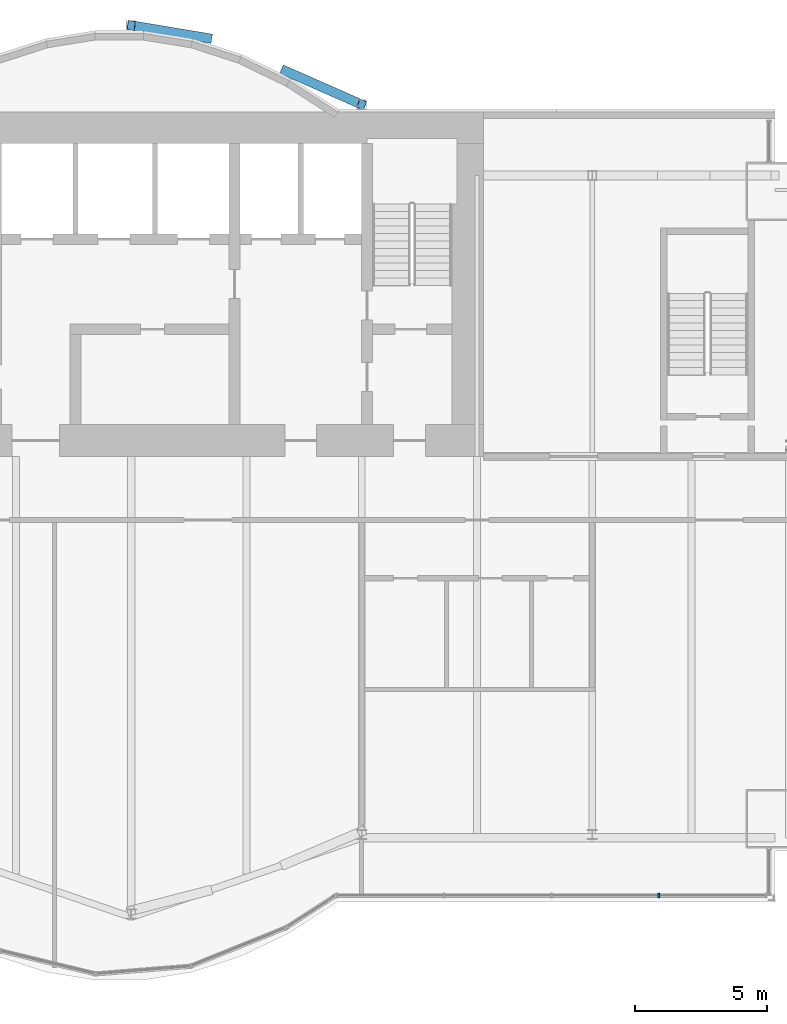
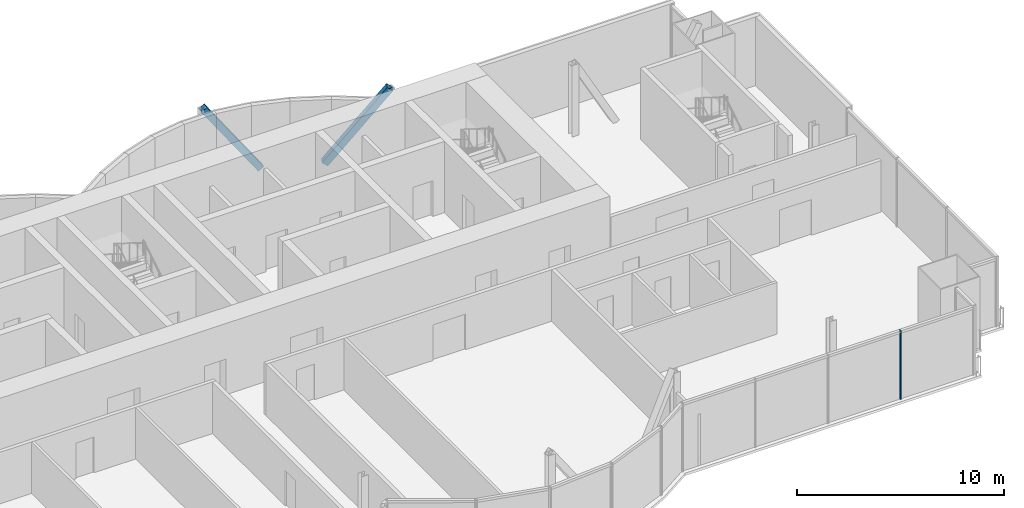
# One storey, part 11 of 20: 3 members, 1 element without a shape of its own.
"""IFC4 building model written with IfcOpenShell, lengths in metres."""

from ifc_helpers import new_model, si_unit, direction, frame, origin, origin_2d, place, context, subcontext, project, spatial, rectangle, hollow_rectangle, extrude, material, material_profile, profile_set, type_object, element, aggregate, save


model = new_model("IFC4")

# Units and contexts
model_context = context("Model", 3, precision=1e-05, world=origin(), true_north=direction((0.0, 1.0)))
body_context = subcontext(model_context, "Body", "Model", "MODEL_VIEW")
ifc_project = project(units=[si_unit("LENGTHUNIT", "METRE"), si_unit("AREAUNIT", "SQUARE_METRE"), si_unit("VOLUMEUNIT", "CUBIC_METRE"), si_unit("PLANEANGLEUNIT", "RADIAN"), si_unit("MASSUNIT", "GRAM", prefix="KILO")], contexts=[model_context])

# Site, building, storey
site_placement = place(None, origin())
site = spatial("IfcSite", under=ifc_project, at=site_placement, CompositionType="ELEMENT")
building_placement = place(site_placement, origin())
building = spatial("IfcBuilding", under=site, at=building_placement, Name="Bicima Exchange Tower", CompositionType="ELEMENT")
storey_placement = place(building_placement, frame((0.0, 0.0, 249.800048828125)))
storey = spatial("IfcBuildingStorey", under=building, at=storey_placement, Name="L56", CompositionType="ELEMENT", Elevation=249.800048828125)

# Curtain wall, member
ifc_material_1 = material(Name="Anodised bronze aluminium", Category="aluminium")
curtain_wall_type = type_object("IfcCurtainWallType", Name="Front glass wall", PredefinedType="NOTDEFINED", material=ifc_material_1)
curtain_wall_placement = place(storey_placement, origin())
curtain_wall = element("IfcCurtainWall", 1, at=curtain_wall_placement, inside=storey, type_object=curtain_wall_type, Name="Front glass wall L56 run 16", PredefinedType="NOTDEFINED")
ifc_material_profile_1 = material_profile(ifc_material_1, rectangle(XDim=0.159912109375, YDim=0.06005859375, at=origin_2d()))
ifc_profile_set_1 = profile_set([ifc_material_profile_1], Name="Anodised bronze aluminium")
member_type_1 = type_object("IfcMemberType", Name="Front glass wall mullion 60 x 160", PredefinedType="MULLION", material=ifc_profile_set_1)
member_1_placement = place(storey_placement, frame((28.610595703125, -29.570068359375, 0.0), z_axis=(0.0, 0.0, 1.0), x_axis=(0.0, 1.0, 0.0)))
member_1 = element("IfcMember", 2, at=member_1_placement, type_object=member_type_1, Name="Front glass wall mullion 4", PredefinedType="MULLION", context=body_context, shape_type="SweptSolid", body=[
    extrude(rectangle(XDim=0.159912109375, YDim=0.06005859375, at=origin_2d()), origin(), (0.0, 0.0, 1.0), 4.050048828125),
])
aggregate(curtain_wall, [member_1])

# Members
ifc_material_2 = material(Name="Steel ASTM A572 Gr 50", Category="steel")
ifc_material_profile_2 = material_profile(ifc_material_2, hollow_rectangle(XDim=0.355712890625, YDim=0.355712890625, WallThickness=0.0146484375, at=origin_2d()))
ifc_profile_set_2 = profile_set([ifc_material_profile_2], Name="Steel ASTM A572 Gr 50")
member_type_2 = type_object("IfcMemberType", Name="Mega brace HSS14x14x5/8", PredefinedType="BRACE", material=ifc_profile_set_2)
member_2_placement = place(storey_placement, frame((14.5, 1.55615234375, 0.0), z_axis=(0.55116382042, -0.242914850977, 0.798254857946), x_axis=(0.403298774981, 0.915068357063, 0.0)))
element("IfcMember", 3, at=member_2_placement, inside=storey, type_object=member_type_2, Name="Mega brace rexo", PredefinedType="BRACE", context=body_context, shape_type="SweptSolid", body=[
    extrude(hollow_rectangle(XDim=0.355712890625, YDim=0.355712890625, WallThickness=0.0146484375, at=origin_2d()), origin(), (0.0, 0.0, 1.0), 5.261474609375),
])
member_3_placement = place(storey_placement, frame((11.60009765625, 2.783203125, 0.0), z_axis=(-0.56565772011, 0.094760406012, 0.819177519914), x_axis=(-0.165220206918, -0.9862567025, 0.0)))
element("IfcMember", 4, at=member_3_placement, inside=storey, type_object=member_type_2, Name="Mega brace rexo", PredefinedType="BRACE", context=body_context, shape_type="SweptSolid", body=[
    extrude(hollow_rectangle(XDim=0.355712890625, YDim=0.355712890625, WallThickness=0.0146484375, at=origin_2d()), origin(), (0.0, 0.0, 1.0), 5.126953125),
])

save(model, "model.ifc")
